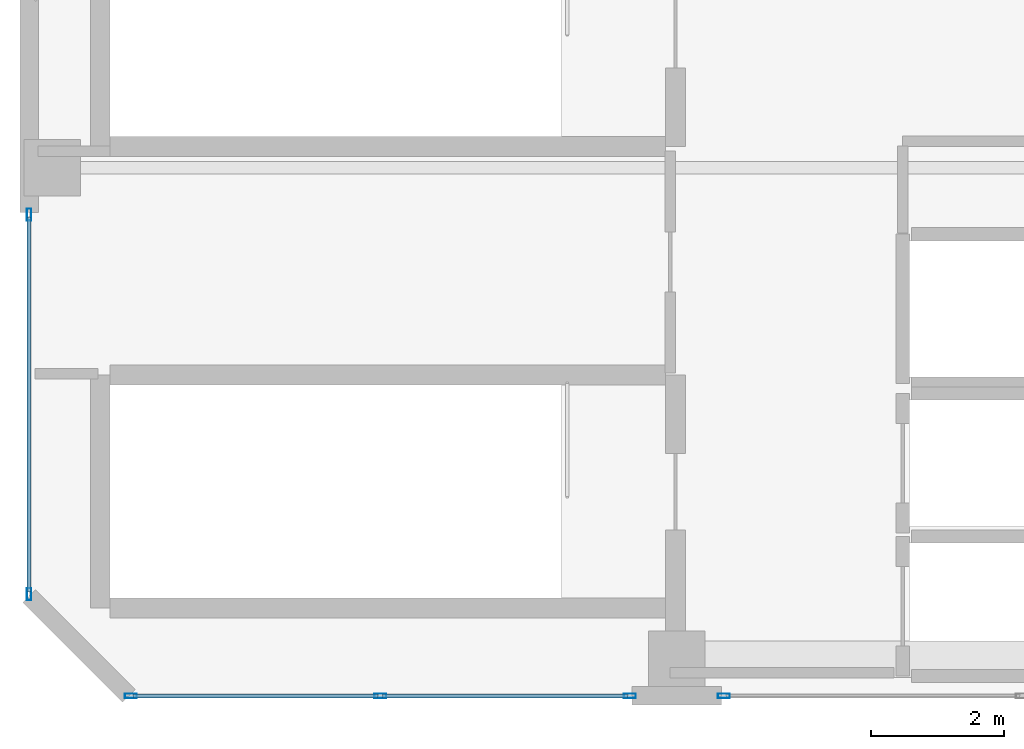
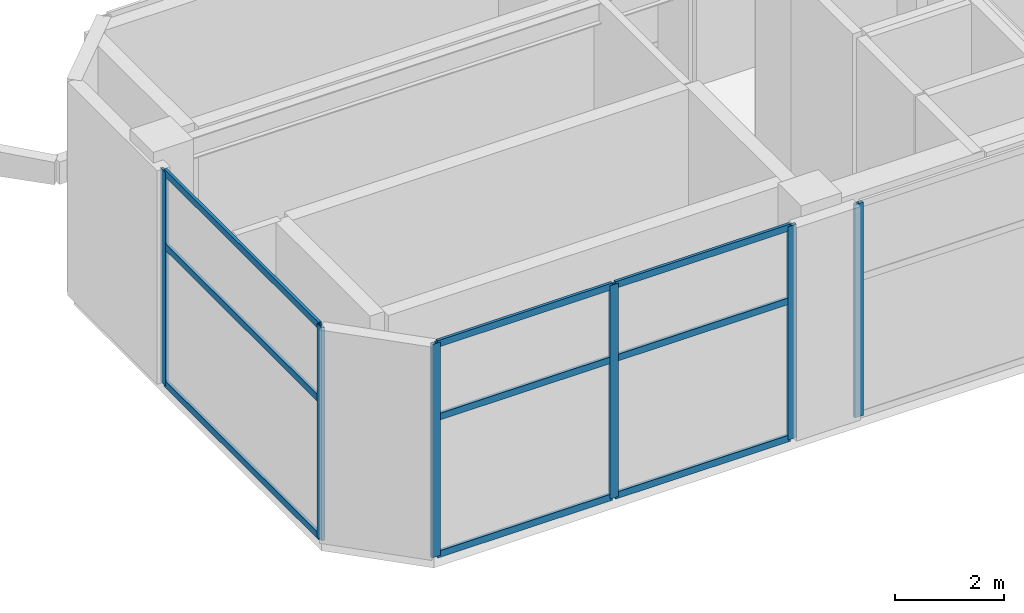
# One storey, part 2 of 12: 15 members, 3 elements without a shape of their own.
"""IFC4 building model written with IfcOpenShell, lengths in metres."""

import ifcopenshell
import ifcopenshell.guid

model = None  # the IFC model being written
_history = None  # IfcOwnerHistory: only IFC2X3 demands one
_inside = {}  # id of a spatial element -> (the spatial element, [elements in it])
_under = {}  # id of a project, library or spatial element -> (it, [spatial elements below it])
_declared = {}  # id of a project -> (the project, [libraries it declares])
_typed = {}  # id of a type object -> (the type object, [elements of that type])
_made_of = {}  # id of a material, layer set ... -> (it, [elements and type objects made of it])


def new_model(schema):
    """Start an empty IFC model of exactly this schema.

    Asked for "IFC4X3", IfcOpenShell would pick the latest addendum, in which some entities
    have other attributes; the version numbers below select the first issue.
    IFC2X3 requires an IfcOwnerHistory on every rooted entity: one is made here for all.
    """
    global model, _history
    if schema == "IFC4X3":
        model = ifcopenshell.file(schema_version=(4, 3, 0, 0))
    else:
        model = ifcopenshell.file(schema=schema)
    _inside.clear()
    _under.clear()
    _declared.clear()
    _typed.clear()
    _made_of.clear()
    _history = None
    if model.schema == "IFC2X3":
        org = make("IfcOrganization", Name="unknown")
        user = make(
            "IfcPersonAndOrganization",
            ThePerson=make("IfcPerson", FamilyName="unknown"),
            TheOrganization=org,
        )
        app = make(
            "IfcApplication",
            ApplicationDeveloper=org,
            Version="unknown",
            ApplicationFullName="unknown",
            ApplicationIdentifier="unknown",
        )
        _history = make(
            "IfcOwnerHistory",
            OwningUser=user,
            OwningApplication=app,
            ChangeAction="ADDED",
            CreationDate=0,
        )
    return model


def make(cls, **values):
    """One entity of the class cls with the attributes given. An attribute that is None is left unset."""
    return model.create_entity(
        cls, **{name: value for name, value in values.items() if value is not None}
    )


def rooted(cls, **values):
    """An entity with a GlobalId (a new one), such as an element, a storey or a relation."""
    return make(cls, GlobalId=ifcopenshell.guid.new(), OwnerHistory=_history, **values)


def si_unit(unit_type, name, prefix=None):
    """IfcSIUnit, for example si_unit("LENGTHUNIT", "METRE", prefix="MILLI")."""
    return make("IfcSIUnit", UnitType=unit_type, Prefix=prefix, Name=name)


def assignment(units):
    """IfcUnitAssignment: the units of a project."""
    return None if units is None else make("IfcUnitAssignment", Units=units)


def point(xyz):
    """IfcCartesianPoint."""
    return None if xyz is None else make("IfcCartesianPoint", Coordinates=xyz)


def direction(xyz):
    """IfcDirection."""
    return None if xyz is None else make("IfcDirection", DirectionRatios=xyz)


def frame(location, z_axis=None, x_axis=None):
    """IfcAxis2Placement3D, a coordinate frame: its origin and axes. An axis left out is left unset."""
    return make(
        "IfcAxis2Placement3D",
        Location=point(location),
        Axis=direction(z_axis),
        RefDirection=direction(x_axis),
    )


def frame_2d(location, x_axis=None):
    """IfcAxis2Placement2D, a coordinate frame in the plane: its origin and x axis."""
    return make(
        "IfcAxis2Placement2D", Location=point(location), RefDirection=direction(x_axis)
    )


def origin():
    """The frame at (0, 0, 0) with its axes left unset."""
    return frame((0.0, 0.0, 0.0))


def origin_2d():
    """The frame at (0, 0) in the plane with its x axis left unset."""
    return frame_2d((0.0, 0.0))


def place(relative_to, where):
    """IfcLocalPlacement: puts the frame where relative to a parent placement (None: the world)."""
    return make(
        "IfcLocalPlacement", PlacementRelTo=relative_to, RelativePlacement=where
    )


def context(
    kind, dimensions, precision=None, world=None, true_north=None, identifier=None
):
    """IfcGeometricRepresentationContext, for example the 3D "Model" context."""
    return make(
        "IfcGeometricRepresentationContext",
        ContextIdentifier=identifier,
        ContextType=kind,
        CoordinateSpaceDimension=dimensions,
        Precision=precision,
        WorldCoordinateSystem=world,
        TrueNorth=true_north,
    )


def subcontext(parent, identifier, kind, view, scale=None):
    """IfcGeometricRepresentationSubContext, for example "Body" below "Model"."""
    return make(
        "IfcGeometricRepresentationSubContext",
        ContextIdentifier=identifier,
        ContextType=kind,
        ParentContext=parent,
        TargetScale=scale,
        TargetView=view,
    )


def project(units=None, contexts=None):
    """IfcProject with its units and contexts."""
    return rooted(
        "IfcProject",
        Name="project",
        RepresentationContexts=contexts,
        UnitsInContext=assignment(units),
    )


def spatial(cls, under=None, at=None, **own):
    """A site, building, storey or space (cls), placed at a placement, below another one or the project."""
    s = rooted(cls, ObjectPlacement=at, **own)
    if under is not None:
        _under.setdefault(under.id(), (under, []))[1].append(s)
    return s


def profile(cls, at=None, kind="AREA", **sizes):
    """A parametric profile (cls). Its sizes go by their IFC names, for example OverallWidth=200.0."""
    return make(cls, ProfileType=kind, Position=at, **sizes)


def hollow_rectangle(**sizes):
    """IfcRectangleHollowProfileDef."""
    return profile("IfcRectangleHollowProfileDef", **sizes)


def extrude(swept, where, along, depth):
    """IfcExtrudedAreaSolid: the profile swept, set in the frame where, extruded along a direction by depth."""
    return make(
        "IfcExtrudedAreaSolid",
        SweptArea=swept,
        Position=where,
        ExtrudedDirection=direction(along),
        Depth=depth,
    )


def shape(context_of_items, identifier, shape_type, items):
    """IfcShapeRepresentation: the items that make up one representation, for example the "Body"."""
    return make(
        "IfcShapeRepresentation",
        ContextOfItems=context_of_items,
        RepresentationIdentifier=identifier,
        RepresentationType=shape_type,
        Items=items,
    )


def material(Name=None, Category=None):
    """IfcMaterial."""
    return make("IfcMaterial", Name=Name, Category=Category)


def layer(
    of_material, thickness, ventilated=None, Name=None, Category=None, Priority=None
):
    """IfcMaterialLayer: one layer of a wall or slab, of a material (None: an air gap)."""
    return make(
        "IfcMaterialLayer",
        Material=of_material,
        LayerThickness=thickness,
        IsVentilated=ventilated,
        Name=Name,
        Category=Category,
        Priority=Priority,
    )


def layer_set(layers, Name=None):
    """IfcMaterialLayerSet."""
    return make("IfcMaterialLayerSet", MaterialLayers=layers, LayerSetName=Name)


def material_profile(
    of_material, cross_section, Name=None, Category=None, Priority=None
):
    """IfcMaterialProfile: a cross section and its material."""
    return make(
        "IfcMaterialProfile",
        Name=Name,
        Material=of_material,
        Profile=cross_section,
        Priority=Priority,
        Category=Category,
    )


def profile_set(profiles, Name=None, composite=None):
    """IfcMaterialProfileSet."""
    return make(
        "IfcMaterialProfileSet",
        Name=Name,
        MaterialProfiles=profiles,
        CompositeProfile=composite,
    )


def made_of(thing, what):
    """Note that an element or type object is made of a material, layer set ...; save() writes the relation."""
    if what is not None:
        _made_of.setdefault(what.id(), (what, []))[1].append(thing)
    return thing


def type_object(cls, material=None, **own):
    """A type object (cls), such as IfcWallType, which elements share."""
    return made_of(rooted(cls, **own), material)


def element(
    cls,
    number,
    at=None,
    inside=None,
    cuts=None,
    type_object=None,
    material=None,
    context=None,
    identifier="Body",
    shape_type=None,
    held_by="IfcProductDefinitionShape",
    body=None,
    shapes=None,
    **own,
):
    """One element of the class cls, such as IfcWall. Its Tag is "e" and its number.

    at: its placement. inside: the storey or other place that contains it. cuts: it is an
    opening in that element (IfcRelVoidsElement). A single representation is given by context,
    identifier, shape_type and body (its items); several are given by shapes. held_by: the class
    of the entity that holds the representations. save() writes the other relations.
    """
    e = rooted(cls, Tag="e%d" % number, ObjectPlacement=at, **own)
    if body is not None:
        shapes = [shape(context, identifier, shape_type, body)]
    if shapes is not None:
        e.Representation = make(held_by, Representations=shapes)
    if inside is not None:
        _inside.setdefault(inside.id(), (inside, []))[1].append(e)
    if cuts is not None:
        rooted(
            "IfcRelVoidsElement", RelatingBuildingElement=cuts, RelatedOpeningElement=e
        )
    if type_object is not None:
        _typed.setdefault(type_object.id(), (type_object, []))[1].append(e)
    return made_of(e, material)


def aggregate(whole, parts):
    """IfcRelAggregates: a whole, such as a stair, and the parts it consists of."""
    return rooted("IfcRelAggregates", RelatingObject=whole, RelatedObjects=parts)


def save(model, path):
    """Write the relations noted so far, then the file.

    IfcRelAggregates (storeys below a building ...), IfcRelContainedInSpatialStructure (elements
    in a storey), IfcRelDefinesByType, IfcRelAssociatesMaterial and IfcRelDeclares: one each for
    every whole, place, type object, material and project.
    """
    for whole, parts in _under.values():
        aggregate(whole, parts)
    for where, things in _inside.values():
        rooted(
            "IfcRelContainedInSpatialStructure",
            RelatedElements=things,
            RelatingStructure=where,
        )
    for kind, things in _typed.values():
        rooted("IfcRelDefinesByType", RelatedObjects=things, RelatingType=kind)
    for what, things in _made_of.values():
        rooted("IfcRelAssociatesMaterial", RelatedObjects=things, RelatingMaterial=what)
    for by, libraries in _declared.values():
        rooted("IfcRelDeclares", RelatingContext=by, RelatedDefinitions=libraries)
    model.write(path)


model = new_model("IFC4")

# Units and contexts
model_context = context("Model", 3, precision=1e-05, world=origin(), true_north=direction((0.0, 1.0)))
body_context = subcontext(model_context, "Body", "Model", "MODEL_VIEW")
ifc_project = project(units=[si_unit("LENGTHUNIT", "METRE"), si_unit("AREAUNIT", "SQUARE_METRE"), si_unit("VOLUMEUNIT", "CUBIC_METRE"), si_unit("PLANEANGLEUNIT", "RADIAN"), si_unit("MASSUNIT", "GRAM", prefix="KILO")], contexts=[model_context])

# Site, building, storey
site_placement = place(None, origin())
site = spatial("IfcSite", under=ifc_project, at=site_placement, CompositionType="ELEMENT")
building_placement = place(site_placement, origin())
building = spatial("IfcBuilding", under=site, at=building_placement, Name="Mawjaban Terraces University", CompositionType="ELEMENT")
storey_placement = place(building_placement, frame((0.0, 0.0, 321.699951171875)))
storey = spatial("IfcBuildingStorey", under=building, at=storey_placement, Name="L78", CompositionType="ELEMENT", Elevation=321.699951171875)

# Curtain wall, members
ifc_material_1 = material(Name="Anodised aluminium 6063-T6 and solar-control low-E glass", Category="aluminium")
ifc_layer = layer(ifc_material_1, 0.199951171875)
ifc_layer_set = layer_set([ifc_layer], Name="Anodised aluminium 6063-T6 and solar-control low-E glass")
curtain_wall_type = type_object("IfcCurtainWallType", Name="CWSystem_06_ObservationCrown", PredefinedType="NOTDEFINED", material=ifc_layer_set)
curtain_wall_1_placement = place(storey_placement, origin())
curtain_wall_1 = element("IfcCurtainWall", 1, at=curtain_wall_1_placement, inside=storey, type_object=curtain_wall_type, Name="L78 Curtain Wall CW-06 Run 1.1", PredefinedType="NOTDEFINED")
ifc_material_2 = material(Name="Anodised aluminium 6063-T6", Category="aluminium")
ifc_material_profile_1 = material_profile(ifc_material_2, hollow_rectangle(XDim=0.06494140625, YDim=0.179931640625, WallThickness=0.00390625, at=origin_2d()), Name="ALU180X65X4")
ifc_profile_set_1 = profile_set([ifc_material_profile_1], Name="Anodised aluminium 6063-T6")
member_type_1 = type_object("IfcMemberType", Name="Mullion_CW-06", PredefinedType="MULLION", material=ifc_profile_set_1)
member_1_placement = place(storey_placement, frame((23.532470703125, 0.0, 0.0), z_axis=(0.0, 0.0, 1.0), x_axis=(0.0, 1.0, 0.0)))
member_1 = element("IfcMember", 2, at=member_1_placement, type_object=member_type_1, Name="CW-06 mullion 1", PredefinedType="MULLION", context=body_context, shape_type="SweptSolid", body=[
    extrude(hollow_rectangle(XDim=0.06494140625, YDim=0.179931640625, WallThickness=0.00390625, at=origin_2d()), origin(), (0.0, 0.0, 1.0), 4.760009765625),
])
member_2_placement = place(storey_placement, frame((27.28759765625, 0.0, 0.0), z_axis=(0.0, 0.0, 1.0), x_axis=(0.0, 1.0, 0.0)))
member_2 = element("IfcMember", 3, at=member_2_placement, type_object=member_type_1, Name="CW-06 mullion 2", PredefinedType="MULLION", context=body_context, shape_type="SweptSolid", body=[
    extrude(hollow_rectangle(XDim=0.06494140625, YDim=0.179931640625, WallThickness=0.00390625, at=origin_2d()), origin(), (0.0, 0.0, 1.0), 4.760009765625),
])
member_3_placement = place(storey_placement, frame((31.04248046875, 0.0, 0.0), z_axis=(0.0, 0.0, 1.0), x_axis=(0.0, 1.0, 0.0)))
member_3 = element("IfcMember", 4, at=member_3_placement, type_object=member_type_1, Name="CW-06 mullion 3", PredefinedType="MULLION", context=body_context, shape_type="SweptSolid", body=[
    extrude(hollow_rectangle(XDim=0.06494140625, YDim=0.179931640625, WallThickness=0.00390625, at=origin_2d()), origin(), (0.0, 0.0, 1.0), 4.760009765625),
])

# Curtain wall, member
curtain_wall_2_placement = place(storey_placement, origin())
curtain_wall_2 = element("IfcCurtainWall", 5, at=curtain_wall_2_placement, inside=storey, type_object=curtain_wall_type, Name="L78 Curtain Wall CW-06 Run 1.2", PredefinedType="NOTDEFINED")
member_4_placement = place(storey_placement, frame((32.45751953125, 0.0, 0.0), z_axis=(0.0, 0.0, 1.0), x_axis=(0.0, 1.0, 0.0)))
member_4 = element("IfcMember", 6, at=member_4_placement, type_object=member_type_1, Name="CW-06 mullion 1", PredefinedType="MULLION", context=body_context, shape_type="SweptSolid", body=[
    extrude(hollow_rectangle(XDim=0.06494140625, YDim=0.179931640625, WallThickness=0.00390625, at=origin_2d()), origin(), (0.0, 0.0, 1.0), 4.760009765625),
])
aggregate(curtain_wall_2, [member_4])

# Curtain wall, members
curtain_wall_3_placement = place(storey_placement, origin())
curtain_wall_3 = element("IfcCurtainWall", 7, at=curtain_wall_3_placement, inside=storey, type_object=curtain_wall_type, Name="L78 Curtain Wall CW-06 Run 7.1", PredefinedType="NOTDEFINED")
member_5_placement = place(storey_placement, frame((22.0, 7.242431640625, 0.0), z_axis=(0.0, 0.0, 1.0), x_axis=(1.0, 0.0, 0.0)))
member_5 = element("IfcMember", 8, at=member_5_placement, type_object=member_type_1, Name="CW-06 mullion 1", PredefinedType="MULLION", context=body_context, shape_type="SweptSolid", body=[
    extrude(hollow_rectangle(XDim=0.06494140625, YDim=0.179931640625, WallThickness=0.00390625, at=origin_2d()), origin(), (0.0, 0.0, 1.0), 4.760009765625),
])
member_6_placement = place(storey_placement, frame((22.0, 1.532470703125, 0.0), z_axis=(0.0, 0.0, 1.0), x_axis=(1.0, 0.0, 0.0)))
member_6 = element("IfcMember", 9, at=member_6_placement, type_object=member_type_1, Name="CW-06 mullion 2", PredefinedType="MULLION", context=body_context, shape_type="SweptSolid", body=[
    extrude(hollow_rectangle(XDim=0.06494140625, YDim=0.179931640625, WallThickness=0.00390625, at=origin_2d()), origin(), (0.0, 0.0, 1.0), 4.760009765625),
])

# Member
ifc_material_profile_2 = material_profile(ifc_material_2, hollow_rectangle(XDim=0.06005859375, YDim=0.14990234375, WallThickness=0.00390625, at=origin_2d()), Name="ALU150X60X4")
ifc_profile_set_2 = profile_set([ifc_material_profile_2], Name="Anodised aluminium 6063-T6")
member_type_2 = type_object("IfcMemberType", Name="Transom_CW-06", PredefinedType="NOTDEFINED", material=ifc_profile_set_2)
member_7_placement = place(storey_placement, frame((23.56494140625, 0.0, 0.030029296875), z_axis=(1.0, 0.0, 0.0), x_axis=(0.0, 1.0, 0.0)))
member_7 = element("IfcMember", 10, at=member_7_placement, type_object=member_type_2, Name="CW-06 transom 1.1", ObjectType="TRANSOM", PredefinedType="USERDEFINED", context=body_context, shape_type="SweptSolid", body=[
    extrude(hollow_rectangle(XDim=0.06005859375, YDim=0.14990234375, WallThickness=0.00390625, at=origin_2d()), origin(), (0.0, 0.0, 1.0), 3.68994140625),
])

member_8_placement = place(storey_placement, frame((23.56494140625, 0.0, 3.093994140625), z_axis=(1.0, 0.0, 0.0), x_axis=(0.0, 1.0, 0.0)))
member_8 = element("IfcMember", 11, at=member_8_placement, type_object=member_type_2, Name="CW-06 transom 1.2", ObjectType="TRANSOM", PredefinedType="USERDEFINED", context=body_context, shape_type="SweptSolid", body=[
    extrude(hollow_rectangle(XDim=0.06005859375, YDim=0.14990234375, WallThickness=0.00390625, at=origin_2d()), origin(), (0.0, 0.0, 1.0), 3.68994140625),
])

member_9_placement = place(storey_placement, frame((23.56494140625, 0.0, 4.72998046875), z_axis=(1.0, 0.0, 0.0), x_axis=(0.0, 1.0, 0.0)))
member_9 = element("IfcMember", 12, at=member_9_placement, type_object=member_type_2, Name="CW-06 transom 1.3", ObjectType="TRANSOM", PredefinedType="USERDEFINED", context=body_context, shape_type="SweptSolid", body=[
    extrude(hollow_rectangle(XDim=0.06005859375, YDim=0.14990234375, WallThickness=0.00390625, at=origin_2d()), origin(), (0.0, 0.0, 1.0), 3.68994140625),
])

member_10_placement = place(storey_placement, frame((27.320068359375, 0.0, 0.030029296875), z_axis=(1.0, 0.0, 0.0), x_axis=(0.0, 1.0, 0.0)))
member_10 = element("IfcMember", 13, at=member_10_placement, type_object=member_type_2, Name="CW-06 transom 2.1", ObjectType="TRANSOM", PredefinedType="USERDEFINED", context=body_context, shape_type="SweptSolid", body=[
    extrude(hollow_rectangle(XDim=0.06005859375, YDim=0.14990234375, WallThickness=0.00390625, at=origin_2d()), origin(), (0.0, 0.0, 1.0), 3.68994140625),
])

member_11_placement = place(storey_placement, frame((27.320068359375, 0.0, 3.093994140625), z_axis=(1.0, 0.0, 0.0), x_axis=(0.0, 1.0, 0.0)))
member_11 = element("IfcMember", 14, at=member_11_placement, type_object=member_type_2, Name="CW-06 transom 2.2", ObjectType="TRANSOM", PredefinedType="USERDEFINED", context=body_context, shape_type="SweptSolid", body=[
    extrude(hollow_rectangle(XDim=0.06005859375, YDim=0.14990234375, WallThickness=0.00390625, at=origin_2d()), origin(), (0.0, 0.0, 1.0), 3.68994140625),
])

member_12_placement = place(storey_placement, frame((27.320068359375, 0.0, 4.72998046875), z_axis=(1.0, 0.0, 0.0), x_axis=(0.0, 1.0, 0.0)))
member_12 = element("IfcMember", 15, at=member_12_placement, type_object=member_type_2, Name="CW-06 transom 2.3", ObjectType="TRANSOM", PredefinedType="USERDEFINED", context=body_context, shape_type="SweptSolid", body=[
    extrude(hollow_rectangle(XDim=0.06005859375, YDim=0.14990234375, WallThickness=0.00390625, at=origin_2d()), origin(), (0.0, 0.0, 1.0), 3.68994140625),
])

aggregate(curtain_wall_1, [member_1, member_2, member_3, member_7, member_8, member_9, member_10, member_11, member_12])

member_13_placement = place(storey_placement, frame((22.0, 7.2099609375, 0.030029296875), z_axis=(0.0, -1.0, 0.0), x_axis=(1.0, 0.0, 0.0)))
member_13 = element("IfcMember", 16, at=member_13_placement, type_object=member_type_2, Name="CW-06 transom 1.1", ObjectType="TRANSOM", PredefinedType="USERDEFINED", context=body_context, shape_type="SweptSolid", body=[
    extrude(hollow_rectangle(XDim=0.06005859375, YDim=0.14990234375, WallThickness=0.00390625, at=origin_2d()), origin(), (0.0, 0.0, 1.0), 5.64501953125),
])

member_14_placement = place(storey_placement, frame((22.0, 7.2099609375, 3.093994140625), z_axis=(0.0, -1.0, 0.0), x_axis=(1.0, 0.0, 0.0)))
member_14 = element("IfcMember", 17, at=member_14_placement, type_object=member_type_2, Name="CW-06 transom 1.2", ObjectType="TRANSOM", PredefinedType="USERDEFINED", context=body_context, shape_type="SweptSolid", body=[
    extrude(hollow_rectangle(XDim=0.06005859375, YDim=0.14990234375, WallThickness=0.00390625, at=origin_2d()), origin(), (0.0, 0.0, 1.0), 5.64501953125),
])

member_15_placement = place(storey_placement, frame((22.0, 7.2099609375, 4.72998046875), z_axis=(0.0, -1.0, 0.0), x_axis=(1.0, 0.0, 0.0)))
member_15 = element("IfcMember", 18, at=member_15_placement, type_object=member_type_2, Name="CW-06 transom 1.3", ObjectType="TRANSOM", PredefinedType="USERDEFINED", context=body_context, shape_type="SweptSolid", body=[
    extrude(hollow_rectangle(XDim=0.06005859375, YDim=0.14990234375, WallThickness=0.00390625, at=origin_2d()), origin(), (0.0, 0.0, 1.0), 5.64501953125),
])

aggregate(curtain_wall_3, [member_5, member_6, member_13, member_14, member_15])

save(model, "model.ifc")
